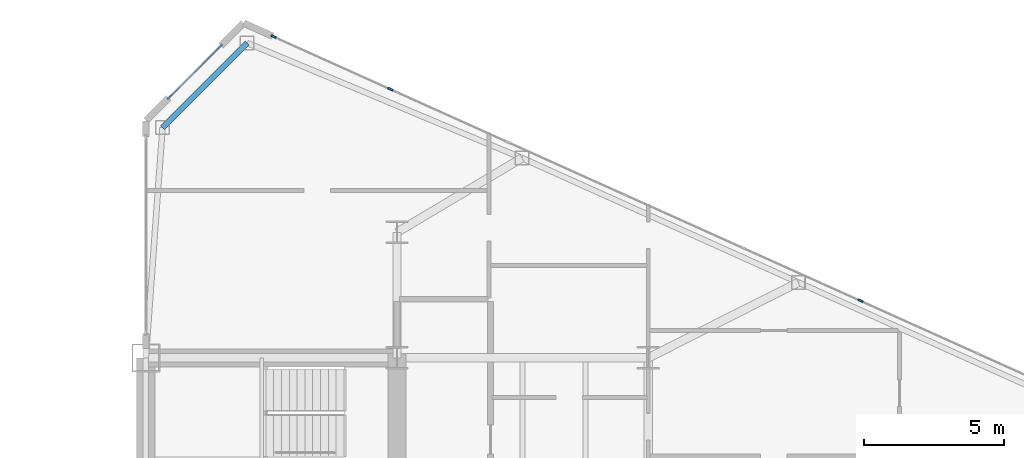
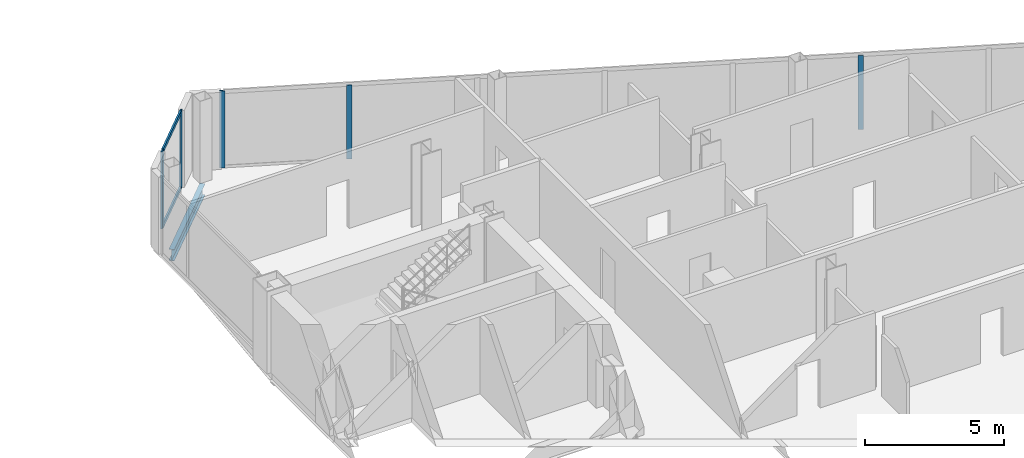
# One storey, part 15 of 27: 7 members, 1 beam, 2 elements without a shape of their own.
"""IFC4 building model written with IfcOpenShell, lengths in metres."""

from ifc_helpers import new_model, si_unit, direction, frame, origin, origin_2d, place, context, subcontext, project, spatial, rectangle, i_section, extrude, source, transform, mapped, material, layer, layer_set, material_profile, profile_set, type_object, type_shapes, element, aggregate, save


model = new_model("IFC4")

# Units and contexts
model_context = context("Model", 3, precision=1e-05, world=origin(), true_north=direction((0.0, 1.0)))
body_context = subcontext(model_context, "Body", "Model", "MODEL_VIEW")
ifc_project = project(units=[si_unit("LENGTHUNIT", "METRE"), si_unit("AREAUNIT", "SQUARE_METRE"), si_unit("VOLUMEUNIT", "CUBIC_METRE"), si_unit("PLANEANGLEUNIT", "RADIAN"), si_unit("MASSUNIT", "GRAM", prefix="KILO")], contexts=[model_context])

# Site, building, storey
site_placement = place(None, origin())
site = spatial("IfcSite", under=ifc_project, at=site_placement, CompositionType="ELEMENT")
building_placement = place(site_placement, origin())
building = spatial("IfcBuilding", under=site, at=building_placement, Name="Seokmaru Belvedere", CompositionType="ELEMENT")
storey_placement = place(building_placement, frame((0.0, 0.0, 76.5)))
storey = spatial("IfcBuildingStorey", under=building, at=storey_placement, Name="L20", CompositionType="ELEMENT", Elevation=76.5)

# Beam
ifc_material_1 = material(Name="Steel SM355 (355 MPa)", Category="steel")
ifc_material_profile_1 = material_profile(ifc_material_1, i_section(OverallWidth=0.199951171875, OverallDepth=0.5, WebThickness=0.010009765625, FlangeThickness=0.01611328125, at=origin_2d()), Name="H-500x200x10x16")
ifc_profile_set_1 = profile_set([ifc_material_profile_1], Name="Steel SM355 (355 MPa)")
beam_type = type_object("IfcBeamType", Name="Perimeter Spandrel Beam H-500", PredefinedType="SPANDREL", material=ifc_profile_set_1)
shared_shape_1 = source(origin(), body_context, "Body", "SweptSolid", [
    extrude(i_section(OverallWidth=0.199951171875, OverallDepth=0.5, WebThickness=0.010009765625, FlangeThickness=0.01611328125, at=origin_2d()), origin(), (0.0, 0.0, 1.0), 4.287109375),
])
type_shapes(beam_type, [shared_shape_1])
beam_placement = place(storey_placement, frame((31.13134765625, 24.782958984375, -0.469970703125), z_axis=(-0.707078306132, -0.707135255094, 0.0), x_axis=(0.707135255094, -0.707078306132, 0.0)))
element("IfcBeam", 1, at=beam_placement, inside=storey, type_object=beam_type, Name="L20 E Shoulder Chamfer Spandrel N", PredefinedType="SPANDREL", context=body_context, shape_type="MappedRepresentation", body=[
    mapped(shared_shape_1, transform((0.0, 0.0, 0.0), scale=1.0)),
])

# Curtain wall, member
ifc_material_2 = material(Name="Bronze Triple Insulating Glass", Category="glass")
ifc_layer = layer(ifc_material_2, 0.195068359375)
ifc_layer_set = layer_set([ifc_layer], Name="Bronze Triple Insulating Glass")
curtain_wall_type = type_object("IfcCurtainWallType", Name="Lower-Mid Tapered Curtain Wall System CW-3", PredefinedType="NOTDEFINED", material=ifc_layer_set)
curtain_wall_1_placement = place(storey_placement, origin())
curtain_wall_1 = element("IfcCurtainWall", 2, at=curtain_wall_1_placement, inside=storey, type_object=curtain_wall_type, Name="L20 Curtain Wall EF3", PredefinedType="NOTDEFINED")
ifc_material_3 = material(Name="Anodised Bronze Aluminium", Category="aluminium")
ifc_material_profile_2 = material_profile(ifc_material_3, rectangle(XDim=0.070068359375, YDim=0.195068359375, at=origin_2d()), Name="CW-M-70x195")
ifc_profile_set_2 = profile_set([ifc_material_profile_2], Name="Anodised Bronze Aluminium")
member_type_1 = type_object("IfcMemberType", Name="Bronze Unitised Mullion 70x195", PredefinedType="MULLION", material=ifc_profile_set_2)
shared_shape_2 = source(origin(), body_context, "Body", "SweptSolid", [
    extrude(rectangle(XDim=0.070068359375, YDim=0.195068359375, at=origin_2d()), origin(), (0.0, 0.0, 1.0), 3.3798828125),
])
member_1_placement = place(storey_placement, frame((32.08056640625, 25.013671875, 0.0), z_axis=(0.0, 0.0, 1.0), x_axis=(-0.41036554765, -0.91192111353, 0.0)))
member_1 = element("IfcMember", 3, at=member_1_placement, type_object=member_type_1, Name="CW:L20:EF3 Mullion 10", PredefinedType="MULLION", context=body_context, shape_type="MappedRepresentation", body=[
    mapped(shared_shape_2, transform((0.0, 0.0, 0.0), scale=1.0)),
])

# Curtain wall, members
curtain_wall_2_placement = place(storey_placement, origin())
curtain_wall_2 = element("IfcCurtainWall", 4, at=curtain_wall_2_placement, inside=storey, type_object=curtain_wall_type, Name="L20 Curtain Wall EF4", PredefinedType="NOTDEFINED")
member_2_placement = place(storey_placement, frame((30.162109375, 24.662109375, 0.0), z_axis=(0.0, 0.0, 1.0), x_axis=(0.707106781187, -0.707106781187, 0.0)))
member_2 = element("IfcMember", 5, at=member_2_placement, type_object=member_type_1, Name="CW:L20:EF4 Mullion 1", PredefinedType="MULLION", context=body_context, shape_type="MappedRepresentation", body=[
    mapped(shared_shape_2, transform((0.0, 0.0, 0.0), scale=1.0)),
])
member_3_placement = place(storey_placement, frame((28.337890625, 22.837890625, 0.0), z_axis=(0.0, 0.0, 1.0), x_axis=(0.707106781187, -0.707106781187, 0.0)))
member_3 = element("IfcMember", 6, at=member_3_placement, type_object=member_type_1, Name="CW:L20:EF4 Mullion 2", PredefinedType="MULLION", context=body_context, shape_type="MappedRepresentation", body=[
    mapped(shared_shape_2, transform((0.0, 0.0, 0.0), scale=1.0)),
])
ifc_material_profile_3 = material_profile(ifc_material_3, rectangle(XDim=0.070068359375, YDim=0.1650390625, at=origin_2d()), Name="CW-T-70x165")
ifc_profile_set_3 = profile_set([ifc_material_profile_3], Name="Anodised Bronze Aluminium")
member_type_2 = type_object("IfcMemberType", Name="Bronze Unitised Transom 70x165", PredefinedType="USERDEFINED", material=ifc_profile_set_3)
shared_shape_3 = source(origin(), body_context, "Body", "SweptSolid", [
    extrude(rectangle(XDim=0.070068359375, YDim=0.1650390625, at=origin_2d()), origin(), (0.0, 0.0, 1.0), 2.509521484375),
])
type_shapes(member_type_2, [shared_shape_3])
member_4_placement = place(storey_placement, frame((30.13720703125, 24.63720703125, 0.034912109375), z_axis=(-0.707106781187, -0.707106781187, 0.0), x_axis=(0.707106781187, -0.707106781187, 0.0)))
member_4 = element("IfcMember", 7, at=member_4_placement, type_object=member_type_2, Name="CW:L20:EF4 Continuous Transom 1", ObjectType="TRANSOM", PredefinedType="USERDEFINED", context=body_context, shape_type="MappedRepresentation", body=[
    mapped(shared_shape_3, transform((0.0, 0.0, 0.0), scale=1.0)),
])
member_5_placement = place(storey_placement, frame((30.13720703125, 24.63720703125, 3.344970703125), z_axis=(-0.707106781187, -0.707106781187, 0.0), x_axis=(0.707106781187, -0.707106781187, 0.0)))
member_5 = element("IfcMember", 8, at=member_5_placement, type_object=member_type_2, Name="CW:L20:EF4 Continuous Transom 2", ObjectType="TRANSOM", PredefinedType="USERDEFINED", context=body_context, shape_type="MappedRepresentation", body=[
    mapped(shared_shape_3, transform((0.0, 0.0, 0.0), scale=1.0)),
])
aggregate(curtain_wall_2, [member_2, member_3, member_4, member_5])

# Member
shared_shape_4 = source(origin(), body_context, "Body", "SweptSolid", [
    extrude(rectangle(XDim=0.070068359375, YDim=0.195068359375, at=origin_2d()), origin(), (0.0, 0.0, 1.0), 3.239990234375),
])
type_shapes(member_type_1, [shared_shape_2, shared_shape_4])
member_6_placement = place(storey_placement, frame((53.105712890625, 15.552490234375, 0.070068359375), z_axis=(0.0, 0.0, 1.0), x_axis=(-0.41036554765, -0.91192111353, 0.0)))
member_6 = element("IfcMember", 9, at=member_6_placement, type_object=member_type_1, Name="CW:L20:EF3 Mullion 5", PredefinedType="MULLION", context=body_context, shape_type="MappedRepresentation", body=[
    mapped(shared_shape_4, transform((0.0, 0.0, 0.0), scale=1.0)),
])

member_7_placement = place(storey_placement, frame((36.260009765625, 23.133056640625, 0.070068359375), z_axis=(0.0, 0.0, 1.0), x_axis=(-0.41036554765, -0.91192111353, 0.0)))
member_7 = element("IfcMember", 10, at=member_7_placement, type_object=member_type_1, Name="CW:L20:EF3 Mullion 9", PredefinedType="MULLION", context=body_context, shape_type="MappedRepresentation", body=[
    mapped(shared_shape_4, transform((0.0, 0.0, 0.0), scale=1.0)),
])

aggregate(curtain_wall_1, [member_6, member_7, member_1])

save(model, "model.ifc")
